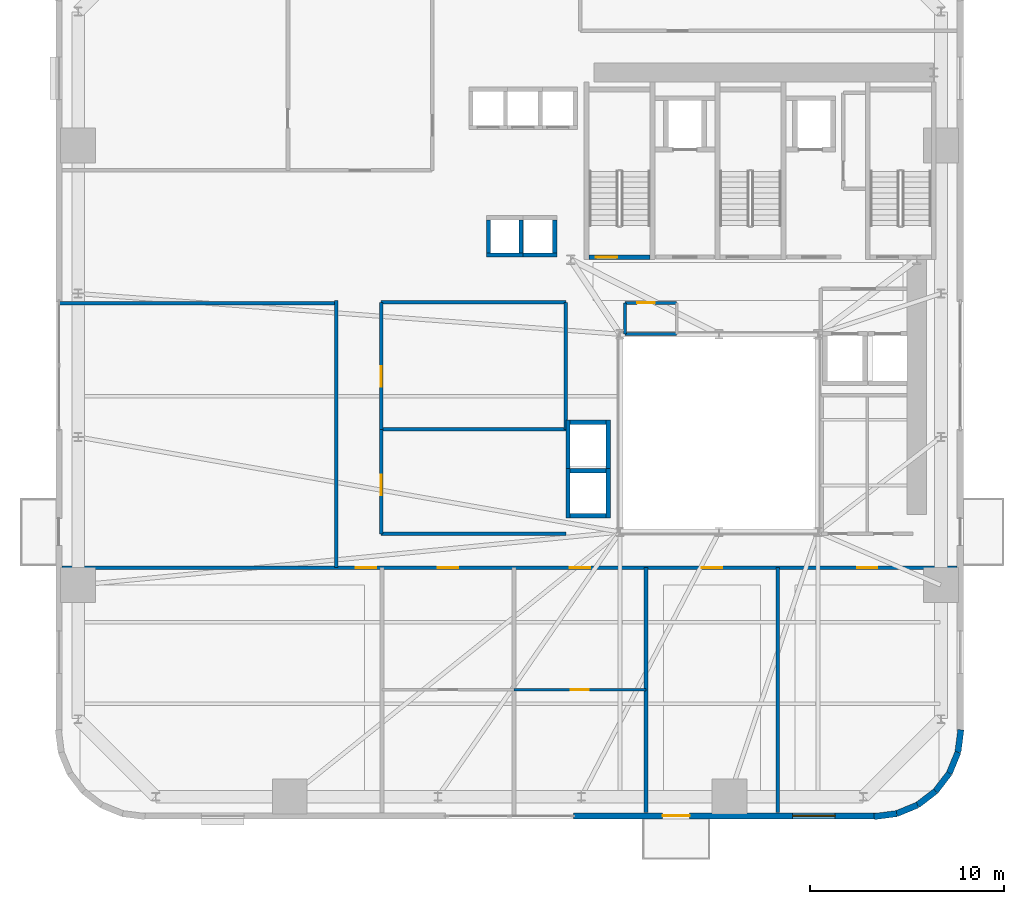
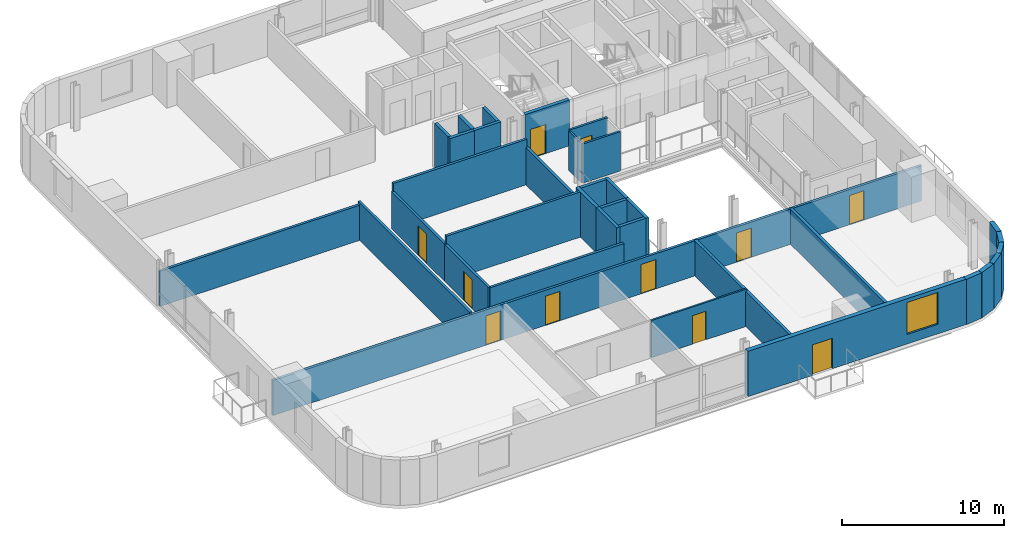
# One storey, part 6 of 13: 35 walls, 11 doors, 1 window, 12 openings.
"""IFC4 building model written with IfcOpenShell, lengths in metres."""

from ifc_helpers import new_model, si_unit, direction, frame, frame_2d, origin, place, context, subcontext, project, spatial, rectangle, extrude, source, transform, mapped, material, layer, layer_set, type_object, element, fill, save


model = new_model("IFC4")

# Units and contexts
model_context = context("Model", 3, precision=1e-05, world=origin(), true_north=direction((0.0, 1.0)))
body_context = subcontext(model_context, "Body", "Model", "MODEL_VIEW")
ifc_project = project(units=[si_unit("LENGTHUNIT", "METRE"), si_unit("AREAUNIT", "SQUARE_METRE"), si_unit("VOLUMEUNIT", "CUBIC_METRE"), si_unit("PLANEANGLEUNIT", "RADIAN"), si_unit("MASSUNIT", "GRAM", prefix="KILO")], contexts=[model_context])

# Site, building, storey
site_placement = place(None, origin())
site = spatial("IfcSite", under=ifc_project, at=site_placement, CompositionType="ELEMENT")
building_placement = place(site_placement, origin())
building = spatial("IfcBuilding", under=site, at=building_placement, Name="Vardaveli Station Tower", CompositionType="ELEMENT")
storey_placement = place(building_placement, frame((0.0, 0.0, 75.050048828125)))
storey = spatial("IfcBuildingStorey", under=building, at=storey_placement, Name="L19", CompositionType="ELEMENT", Elevation=75.050048828125)

# Wall, openings, door, window
ifc_material_1 = material(Name="Precast concrete C45/55", Category="concrete")
ifc_layer_1 = layer(ifc_material_1, 0.320068359375, Name="Precast concrete C45/55")
ifc_layer_set_1 = layer_set([ifc_layer_1], Name="Precast concrete C45/55")
wall_type_1 = type_object("IfcWallType", Name="WAL-EXT-STONE-320", PredefinedType="SOLIDWALL", material=ifc_layer_set_1)
shared_shape_1 = source(origin(), body_context, "Body", "SweptSolid", [
    extrude(rectangle(XDim=15.599853515625, YDim=0.320068359375, at=frame_2d((7.7998046875, 0.0))), origin(), (0.0, 0.0, 1.0), 3.409912109375),
])
wall_1_placement = place(storey_placement, frame((28.800048828125, 1.9599609375, 0.0), z_axis=(0.0, 0.0, 1.0), x_axis=(1.0, 0.0, 0.0)))
wall_1 = element("IfcWall", 1, at=wall_1_placement, inside=storey, type_object=wall_type_1, Name="EW-L19-S2", PredefinedType="SOLIDWALL", context=body_context, shape_type="MappedRepresentation", body=[
    mapped(shared_shape_1, transform((0.0, 0.0, 0.0), scale=1.0)),
])
shared_shape_2 = source(origin(), body_context, "Body", "SweptSolid", [
    extrude(rectangle(XDim=1.39990234375, YDim=2.300048828125, at=frame_2d((0.699951171875, 1.14990234375))), frame((0.0, 0.169921875, 0.0), z_axis=(0.0, -1.0, 0.0), x_axis=(1.0, 0.0, 0.0)), (0.0, 0.0, 1.0), 0.340087890625),
])
opening_1_placement = place(wall_1_placement, frame((4.589599609375, 0.0, 0.0)))
opening_1 = element("IfcOpeningElement", 2, at=opening_1_placement, cuts=wall_1, Name="Opening D-09", PredefinedType="OPENING", context=body_context, shape_type="MappedRepresentation", body=[
    mapped(shared_shape_2, transform((0.0, 0.0, 0.0), scale=1.0)),
])
shared_shape_3 = source(origin(), body_context, "Body", "SweptSolid", [
    extrude(rectangle(XDim=2.199951171875, YDim=2.39990234375, at=frame_2d((1.10009765625, 1.199951171875))), frame((0.0, 0.169921875, 0.0), z_axis=(0.0, -1.0, 0.0), x_axis=(1.0, 0.0, 0.0)), (0.0, 0.0, 1.0), 0.340087890625),
])
opening_2_placement = place(wall_1_placement, frame((11.294921875, 0.0, 0.719970703125)))
opening_2 = element("IfcOpeningElement", 3, at=opening_2_placement, cuts=wall_1, Name="Opening W-03", PredefinedType="OPENING", context=body_context, shape_type="MappedRepresentation", body=[
    mapped(shared_shape_3, transform((0.0, 0.0, 0.0), scale=1.0)),
])
ifc_material_2 = material(Name="Thermally broken aluminium glass", Category="aluminium")
door_type_1 = type_object("IfcDoorType", Name="DR-LOG-1400x2300", OperationType="DOUBLE_DOOR_SLIDING", PredefinedType="DOOR", material=ifc_material_2)
shared_shape_4 = source(origin(), body_context, "Body", "SweptSolid", [
    extrude(rectangle(XDim=1.39990234375, YDim=2.300048828125, at=frame_2d((0.699951171875, 1.14990234375))), frame((0.0, 0.02490234375, 0.0), z_axis=(0.0, -1.0, 0.0), x_axis=(1.0, 0.0, 0.0)), (0.0, 0.0, 1.0), 0.050048828125),
])
door_1_placement = place(opening_1_placement, frame((1.39990234375, 0.0, 0.0), z_axis=(0.0, 0.0, 1.0), x_axis=(-1.0, 0.0, 0.0)))
door_1 = element("IfcDoor", 4, at=door_1_placement, inside=storey, type_object=door_type_1, Name="DLG-L19-S", OperationType="DOUBLE_DOOR_SLIDING", OverallHeight=2.300048828125, OverallWidth=1.39990234375, PredefinedType="DOOR", context=body_context, shape_type="MappedRepresentation", body=[
    mapped(shared_shape_4, transform((0.0, 0.0, 0.0), scale=1.0)),
])
fill(opening_1, door_1)
ifc_material_3 = material(Name="Low-E solar-control glass", Category="glass")
window_type = type_object("IfcWindowType", Name="WIN-LOG-2200x2400", PartitioningType="SINGLE_PANEL", PredefinedType="WINDOW", material=ifc_material_3)
shared_shape_5 = source(origin(), body_context, "Body", "SweptSolid", [
    extrude(rectangle(XDim=2.199951171875, YDim=2.39990234375, at=frame_2d((1.10009765625, 1.199951171875))), frame((0.0, 0.030029296875, 0.0), z_axis=(0.0, -1.0, 0.0), x_axis=(1.0, 0.0, 0.0)), (0.0, 0.0, 1.0), 0.06005859375),
])
window_placement = place(opening_2_placement, origin())
window = element("IfcWindow", 5, at=window_placement, inside=storey, type_object=window_type, Name="WN-L19-S2", OverallHeight=2.39990234375, OverallWidth=2.199951171875, PartitioningType="SINGLE_PANEL", PredefinedType="WINDOW", context=body_context, shape_type="MappedRepresentation", body=[
    mapped(shared_shape_5, transform((0.0, 0.0, 0.0), scale=1.0)),
])
fill(opening_2, window)

# Walls
shared_shape_6 = source(origin(), body_context, "Body", "SweptSolid", [
    extrude(rectangle(XDim=1.170654296875, YDim=0.320068359375, at=frame_2d((0.58544921875, 0.0))), origin(), (0.0, 0.0, 1.0), 3.409912109375),
])
wall_2_placement = place(storey_placement, frame((48.62548828125, 5.23974609375, 0.0), z_axis=(0.0, 0.0, 1.0), x_axis=(0.128269133229, 0.991739395941, 0.0)))
element("IfcWall", 6, at=wall_2_placement, inside=storey, type_object=wall_type_1, Name="EW-L19-CR2-6", PredefinedType="SOLIDWALL", context=body_context, shape_type="MappedRepresentation", body=[
    mapped(shared_shape_6, transform((0.0, 0.0, 0.0), scale=1.0)),
])
shared_shape_7 = source(origin(), body_context, "Body", "SweptSolid", [
    extrude(rectangle(XDim=1.1689453125, YDim=0.320068359375, at=frame_2d((0.58447265625, 0.0))), origin(), (0.0, 0.0, 1.0), 3.409912109375),
])
for number, where, z_axis, x_axis, name in (
    (7, (47.46875, 3.231201171875, 0.0), (0.0, 0.0, 1.0), (0.608387696831, 0.793639975269, 0.0), "EW-L19-CR2-4"),
    (8, (48.179931640625, 4.158935546875, 0.0), (0.0, 0.0, 1.0), (0.381127904695, 0.924522320046, 0.0), "EW-L19-CR2-5"),
):
    element("IfcWall", number, at=place(storey_placement, frame(where, z_axis=z_axis, x_axis=x_axis)), inside=storey, type_object=wall_type_1, Name=name, PredefinedType="SOLIDWALL", context=body_context, shape_type="MappedRepresentation", body=[
        mapped(shared_shape_7, transform((0.0, 0.0, 0.0), scale=1.0)),
    ])
shared_shape_8 = source(origin(), body_context, "Body", "SweptSolid", [
    extrude(rectangle(XDim=1.168701171875, YDim=0.320068359375, at=frame_2d((0.58447265625, 0.0))), origin(), (0.0, 0.0, 1.0), 3.409912109375),
])
wall_3_placement = place(storey_placement, frame((46.541259765625, 2.520263671875, 0.0), z_axis=(0.0, 0.0, 1.0), x_axis=(0.793663520347, 0.608356981114, 0.0)))
element("IfcWall", 9, at=wall_3_placement, inside=storey, type_object=wall_type_1, Name="EW-L19-CR2-3", PredefinedType="SOLIDWALL", context=body_context, shape_type="MappedRepresentation", body=[
    mapped(shared_shape_8, transform((0.0, 0.0, 0.0), scale=1.0)),
])
shared_shape_9 = source(origin(), body_context, "Body", "SweptSolid", [
    extrude(rectangle(XDim=1.16943359375, YDim=0.320068359375, at=frame_2d((0.584716796875, 0.0))), origin(), (0.0, 0.0, 1.0), 3.409912109375),
])
wall_4_placement = place(storey_placement, frame((45.460205078125, 2.074462890625, 0.0), z_axis=(0.0, 0.0, 1.0), x_axis=(0.924479075121, 0.381232789334, 0.0)))
element("IfcWall", 10, at=wall_4_placement, inside=storey, type_object=wall_type_1, Name="EW-L19-CR2-2", PredefinedType="SOLIDWALL", context=body_context, shape_type="MappedRepresentation", body=[
    mapped(shared_shape_9, transform((0.0, 0.0, 0.0), scale=1.0)),
])
shared_shape_10 = source(origin(), body_context, "Body", "SweptSolid", [
    extrude(rectangle(XDim=1.170166015625, YDim=0.320068359375, at=frame_2d((0.5849609375, 0.0))), origin(), (0.0, 0.0, 1.0), 3.409912109375),
])
wall_5_placement = place(storey_placement, frame((44.299560546875, 1.924560546875, 0.0), z_axis=(0.0, 0.0, 1.0), x_axis=(0.991762485493, 0.128090485085, 0.0)))
element("IfcWall", 11, at=wall_5_placement, inside=storey, type_object=wall_type_1, Name="EW-L19-CR2-1", PredefinedType="SOLIDWALL", context=body_context, shape_type="MappedRepresentation", body=[
    mapped(shared_shape_10, transform((0.0, 0.0, 0.0), scale=1.0)),
])

# Wall, opening, door
ifc_material_4 = material(Name="Concrete C40/50", Category="concrete")
ifc_layer_2 = layer(ifc_material_4, 0.25, Name="Concrete C40/50")
ifc_layer_set_2 = layer_set([ifc_layer_2], Name="Concrete C40/50")
wall_type_2 = type_object("IfcWallType", Name="WAL-SHAFT-250", PredefinedType="SOLIDWALL", material=ifc_layer_set_2)
shared_shape_11 = source(origin(), body_context, "Body", "SweptSolid", [
    extrude(rectangle(XDim=3.14990234375, YDim=0.25, at=frame_2d((1.574951171875, 0.0))), origin(), (0.0, 0.0, 1.0), 3.449951171875),
])
wall_6_placement = place(storey_placement, frame((29.60009765625, 30.77490234375, 0.0), z_axis=(0.0, 0.0, 1.0), x_axis=(1.0, 0.0, 0.0)))
wall_6 = element("IfcWall", 12, at=wall_6_placement, inside=storey, type_object=wall_type_2, Name="W-L19-ST-1S", PredefinedType="SOLIDWALL", context=body_context, shape_type="MappedRepresentation", body=[
    mapped(shared_shape_11, transform((0.0, 0.0, 0.0), scale=1.0)),
])
shared_shape_12 = source(origin(), body_context, "Body", "SweptSolid", [
    extrude(rectangle(XDim=1.10009765625, YDim=2.199951171875, at=frame_2d((0.550048828125, 1.10009765625))), frame((0.0, 0.135009765625, 0.0), z_axis=(0.0, -1.0, 0.0), x_axis=(1.0, 0.0, 0.0)), (0.0, 0.0, 1.0), 0.27001953125),
])
opening_3_placement = place(wall_6_placement, frame((0.35009765625, 0.0, 0.0)))
opening_3 = element("IfcOpeningElement", 13, at=opening_3_placement, cuts=wall_6, Name="Opening D-04", PredefinedType="OPENING", context=body_context, shape_type="MappedRepresentation", body=[
    mapped(shared_shape_12, transform((0.0, 0.0, 0.0), scale=1.0)),
])
ifc_material_5 = material(Name="Steel smokeproof fire doorset", Category="steel")
door_type_2 = type_object("IfcDoorType", Name="DR-ST-1100x2200", OperationType="NOTDEFINED", PredefinedType="DOOR", material=ifc_material_5)
shared_shape_13 = source(origin(), body_context, "Body", "SweptSolid", [
    extrude(rectangle(XDim=1.10009765625, YDim=2.199951171875, at=frame_2d((0.550048828125, 1.10009765625))), frame((0.0, 0.02490234375, 0.0), z_axis=(0.0, -1.0, 0.0), x_axis=(1.0, 0.0, 0.0)), (0.0, 0.0, 1.0), 0.050048828125),
])
door_2_placement = place(opening_3_placement, origin())
door_2 = element("IfcDoor", 14, at=door_2_placement, inside=storey, type_object=door_type_2, Name="DST-1-L19", OperationType="SINGLE_SWING_LEFT", OverallHeight=2.199951171875, OverallWidth=1.10009765625, PredefinedType="DOOR", context=body_context, shape_type="MappedRepresentation", body=[
    mapped(shared_shape_13, transform((0.0, 0.0, 0.0), scale=1.0)),
])
fill(opening_3, door_2)

# Walls
ifc_layer_3 = layer(ifc_material_4, 0.219970703125, Name="Concrete C40/50")
ifc_layer_set_3 = layer_set([ifc_layer_3], Name="Concrete C40/50")
wall_type_3 = type_object("IfcWallType", Name="WAL-FFLOBBY-220", PredefinedType="SOLIDWALL", material=ifc_layer_set_3)
shared_shape_14 = source(origin(), body_context, "Body", "SweptSolid", [
    extrude(rectangle(XDim=1.89013671875, YDim=0.219970703125, at=frame_2d((0.945068359375, 0.0))), origin(), (0.0, 0.0, 1.0), 3.409912109375),
])
for number, where, z_axis, x_axis, name in (
    (15, (24.304931640625, 30.889892578125, 0.0), (0.0, 0.0, 1.0), (1.0, 0.0, 0.0), "SHW-SHU-01-L19-S"),
    (16, (26.054931640625, 30.889892578125, 0.0), (0.0, 0.0, 1.0), (1.0, 0.0, 0.0), "SHW-SHU-02-L19-S"),
):
    element("IfcWall", number, at=place(storey_placement, frame(where, z_axis=z_axis, x_axis=x_axis)), inside=storey, type_object=wall_type_3, Name=name, PredefinedType="SOLIDWALL", context=body_context, shape_type="MappedRepresentation", body=[
        mapped(shared_shape_14, transform((0.0, 0.0, 0.0), scale=1.0)),
    ])
shared_shape_15 = source(origin(), body_context, "Body", "SweptSolid", [
    extrude(rectangle(XDim=1.699951171875, YDim=0.219970703125, at=frame_2d((0.85009765625, 0.0))), origin(), (0.0, 0.0, 1.0), 3.409912109375),
])
for number, where, z_axis, x_axis, name in (
    (17, (24.4150390625, 31.0, 0.0), (0.0, 0.0, 1.0), (0.0, 1.0, 0.0), "SHW-SHU-01-L19-W"),
    (18, (26.0849609375, 31.0, 0.0), (0.0, 0.0, 1.0), (0.0, 1.0, 0.0), "SHW-SHU-01-L19-E"),
    (19, (27.8349609375, 31.0, 0.0), (0.0, 0.0, 1.0), (0.0, 1.0, 0.0), "SHW-SHU-02-L19-E"),
):
    element("IfcWall", number, at=place(storey_placement, frame(where, z_axis=z_axis, x_axis=x_axis)), inside=storey, type_object=wall_type_3, Name=name, PredefinedType="SOLIDWALL", context=body_context, shape_type="MappedRepresentation", body=[
        mapped(shared_shape_15, transform((0.0, 0.0, 0.0), scale=1.0)),
    ])
shared_shape_16 = source(origin(), body_context, "Body", "SweptSolid", [
    extrude(rectangle(XDim=1.85009765625, YDim=0.219970703125, at=frame_2d((0.925048828125, 0.0))), origin(), (0.0, 0.0, 1.0), 3.409912109375),
])
for number, where, z_axis, x_axis, name in (
    (20, (28.625, 17.43994140625, 0.0), (0.0, 0.0, 1.0), (1.0, 0.0, 0.0), "SHW-OBS-01-L19-S"),
    (21, (28.625, 19.760009765625, 0.0), (0.0, 0.0, 1.0), (1.0, 0.0, 0.0), "SHW-OBS-01-L19-N"),
    (22, (28.625, 22.260009765625, 0.0), (0.0, 0.0, 1.0), (1.0, 0.0, 0.0), "SHW-OBS-02-L19-N"),
):
    element("IfcWall", number, at=place(storey_placement, frame(where, z_axis=z_axis, x_axis=x_axis)), inside=storey, type_object=wall_type_3, Name=name, PredefinedType="SOLIDWALL", context=body_context, shape_type="MappedRepresentation", body=[
        mapped(shared_shape_16, transform((0.0, 0.0, 0.0), scale=1.0)),
    ])
shared_shape_17 = source(origin(), body_context, "Body", "SweptSolid", [
    extrude(rectangle(XDim=2.5400390625, YDim=0.219970703125, at=frame_2d((1.27001953125, 0.0))), origin(), (0.0, 0.0, 1.0), 3.409912109375),
])
for number, where, z_axis, x_axis, name in (
    (23, (28.514892578125, 17.330078125, 0.0), (0.0, 0.0, 1.0), (0.0, 1.0, 0.0), "SHW-OBS-01-L19-W"),
    (24, (30.5849609375, 17.330078125, 0.0), (0.0, 0.0, 1.0), (0.0, 1.0, 0.0), "SHW-OBS-01-L19-E"),
    (25, (28.514892578125, 19.830078125, 0.0), (0.0, 0.0, 1.0), (0.0, 1.0, 0.0), "SHW-OBS-02-L19-W"),
    (26, (30.5849609375, 19.830078125, 0.0), (0.0, 0.0, 1.0), (0.0, 1.0, 0.0), "SHW-OBS-02-L19-E"),
):
    element("IfcWall", number, at=place(storey_placement, frame(where, z_axis=z_axis, x_axis=x_axis)), inside=storey, type_object=wall_type_3, Name=name, PredefinedType="SOLIDWALL", context=body_context, shape_type="MappedRepresentation", body=[
        mapped(shared_shape_17, transform((0.0, 0.0, 0.0), scale=1.0)),
    ])

# Wall, openings, doors
ifc_material_6 = material(Name="Fire-rated gypsum stud partition")
ifc_layer_4 = layer(ifc_material_6, 0.179931640625, Name="Fire-rated gypsum stud partition")
ifc_layer_set_4 = layer_set([ifc_layer_4], Name="Fire-rated gypsum stud partition")
wall_type_4 = type_object("IfcWallType", Name="WAL-CORR-180", PredefinedType="PARTITIONING", material=ifc_layer_set_4)
shared_shape_18 = source(origin(), body_context, "Body", "SweptSolid", [
    extrude(rectangle(XDim=46.15576171875, YDim=0.179931640625, at=frame_2d((23.077880859375, 0.0))), origin(), (0.0, 0.0, 1.0), 2.65185546875),
])
wall_7_placement = place(storey_placement, frame((2.422119140625, 14.760009765625, 0.0), z_axis=(0.0, 0.0, 1.0), x_axis=(1.0, 0.0, 0.0)))
wall_7 = element("IfcWall", 27, at=wall_7_placement, inside=storey, type_object=wall_type_4, Name="W-L19-CS", PredefinedType="PARTITIONING", context=body_context, shape_type="MappedRepresentation", body=[
    mapped(shared_shape_18, transform((0.0, 0.0, 0.0), scale=1.0)),
])
shared_shape_19 = source(origin(), body_context, "Body", "SweptSolid", [
    extrude(rectangle(XDim=1.050048828125, YDim=2.199951171875, at=frame_2d((0.52490234375, 1.10009765625))), frame((0.0, 0.10009765625, 0.0), z_axis=(0.0, -1.0, 0.0), x_axis=(1.0, 0.0, 0.0)), (0.0, 0.0, 1.0), 0.199951171875),
])
opening_4_placement = place(wall_7_placement, frame((15.14794921875, 0.0, 0.0)))
opening_4 = element("IfcOpeningElement", 28, at=opening_4_placement, cuts=wall_7, Name="Opening D-05", PredefinedType="OPENING", context=body_context, shape_type="MappedRepresentation", body=[
    mapped(shared_shape_19, transform((0.0, 0.0, 0.0), scale=1.0)),
])
opening_5_placement = place(wall_7_placement, frame((19.379638671875, 0.0, 0.0)))
opening_5 = element("IfcOpeningElement", 29, at=opening_5_placement, cuts=wall_7, Name="Opening D-05", PredefinedType="OPENING", context=body_context, shape_type="MappedRepresentation", body=[
    mapped(shared_shape_19, transform((0.0, 0.0, 0.0), scale=1.0)),
])
opening_6_placement = place(wall_7_placement, frame((26.18310546875, 0.0, 0.0)))
opening_6 = element("IfcOpeningElement", 30, at=opening_6_placement, cuts=wall_7, Name="Opening D-05", PredefinedType="OPENING", context=body_context, shape_type="MappedRepresentation", body=[
    mapped(shared_shape_19, transform((0.0, 0.0, 0.0), scale=1.0)),
])
opening_7_placement = place(wall_7_placement, frame((32.986328125, 0.0, 0.0)))
opening_7 = element("IfcOpeningElement", 31, at=opening_7_placement, cuts=wall_7, Name="Opening D-05", PredefinedType="OPENING", context=body_context, shape_type="MappedRepresentation", body=[
    mapped(shared_shape_19, transform((0.0, 0.0, 0.0), scale=1.0)),
])
opening_8_placement = place(wall_7_placement, frame((40.998046875, 0.0, 0.0)))
opening_8 = element("IfcOpeningElement", 32, at=opening_8_placement, cuts=wall_7, Name="Opening D-05", PredefinedType="OPENING", context=body_context, shape_type="MappedRepresentation", body=[
    mapped(shared_shape_19, transform((0.0, 0.0, 0.0), scale=1.0)),
])
ifc_material_7 = material(Name="Walnut veneer acoustic fire door")
door_type_3 = type_object("IfcDoorType", Name="DR-SUITE-1050x2200", OperationType="NOTDEFINED", PredefinedType="DOOR", material=ifc_material_7)
shared_shape_20 = source(origin(), body_context, "Body", "SweptSolid", [
    extrude(rectangle(XDim=1.050048828125, YDim=2.199951171875, at=frame_2d((0.52490234375, 1.10009765625))), frame((0.0, 0.02490234375, 0.0), z_axis=(0.0, -1.0, 0.0), x_axis=(1.0, 0.0, 0.0)), (0.0, 0.0, 1.0), 0.050048828125),
])
door_3_placement = place(opening_4_placement, origin())
door_3 = element("IfcDoor", 33, at=door_3_placement, inside=storey, type_object=door_type_3, Name="D-L19-SA1", OperationType="SINGLE_SWING_LEFT", OverallHeight=2.199951171875, OverallWidth=1.050048828125, PredefinedType="DOOR", context=body_context, shape_type="MappedRepresentation", body=[
    mapped(shared_shape_20, transform((0.0, 0.0, 0.0), scale=1.0)),
])
fill(opening_4, door_3)
door_4_placement = place(opening_5_placement, origin())
door_4 = element("IfcDoor", 34, at=door_4_placement, inside=storey, type_object=door_type_3, Name="D-L19-SCB2", OperationType="SINGLE_SWING_RIGHT", OverallHeight=2.199951171875, OverallWidth=1.050048828125, PredefinedType="DOOR", context=body_context, shape_type="MappedRepresentation", body=[
    mapped(shared_shape_20, transform((0.0, 0.0, 0.0), scale=1.0)),
])
fill(opening_5, door_4)
door_5_placement = place(opening_6_placement, origin())
door_5 = element("IfcDoor", 35, at=door_5_placement, inside=storey, type_object=door_type_3, Name="D-L19-SCB3", OperationType="SINGLE_SWING_LEFT", OverallHeight=2.199951171875, OverallWidth=1.050048828125, PredefinedType="DOOR", context=body_context, shape_type="MappedRepresentation", body=[
    mapped(shared_shape_20, transform((0.0, 0.0, 0.0), scale=1.0)),
])
fill(opening_6, door_5)
door_6_placement = place(opening_7_placement, origin())
door_6 = element("IfcDoor", 36, at=door_6_placement, inside=storey, type_object=door_type_3, Name="D-L19-SA4", OperationType="SINGLE_SWING_RIGHT", OverallHeight=2.199951171875, OverallWidth=1.050048828125, PredefinedType="DOOR", context=body_context, shape_type="MappedRepresentation", body=[
    mapped(shared_shape_20, transform((0.0, 0.0, 0.0), scale=1.0)),
])
fill(opening_7, door_6)
door_7_placement = place(opening_8_placement, origin())
door_7 = element("IfcDoor", 37, at=door_7_placement, inside=storey, type_object=door_type_3, Name="D-L19-SA5", OperationType="SINGLE_SWING_LEFT", OverallHeight=2.199951171875, OverallWidth=1.050048828125, PredefinedType="DOOR", context=body_context, shape_type="MappedRepresentation", body=[
    mapped(shared_shape_20, transform((0.0, 0.0, 0.0), scale=1.0)),
])
fill(opening_8, door_7)

# Wall, opening, door
shared_shape_21 = source(origin(), body_context, "Body", "SweptSolid", [
    extrude(rectangle(XDim=6.5400390625, YDim=0.179931640625, at=frame_2d((3.27001953125, 0.0))), origin(), (0.0, 0.0, 1.0), 2.802001953125),
])
wall_8_placement = place(storey_placement, frame((18.8701171875, 21.89990234375, 0.0), z_axis=(0.0, 0.0, 1.0), x_axis=(0.0, 1.0, 0.0)))
wall_8 = element("IfcWall", 38, at=wall_8_placement, inside=storey, type_object=wall_type_4, Name="W-L19-ATW2-W", PredefinedType="PARTITIONING", context=body_context, shape_type="MappedRepresentation", body=[
    mapped(shared_shape_21, transform((0.0, 0.0, 0.0), scale=1.0)),
])
opening_9_placement = place(wall_8_placement, frame((2.199951171875, 0.0, 0.0)))
opening_9 = element("IfcOpeningElement", 39, at=opening_9_placement, cuts=wall_8, Name="Opening D-05", PredefinedType="OPENING", context=body_context, shape_type="MappedRepresentation", body=[
    mapped(shared_shape_19, transform((0.0, 0.0, 0.0), scale=1.0)),
])
door_8_placement = place(opening_9_placement, origin())
door_8 = element("IfcDoor", 40, at=door_8_placement, inside=storey, type_object=door_type_3, Name="D-L19-ATW2", OperationType="SINGLE_SWING_RIGHT", OverallHeight=2.199951171875, OverallWidth=1.050048828125, PredefinedType="DOOR", context=body_context, shape_type="MappedRepresentation", body=[
    mapped(shared_shape_20, transform((0.0, 0.0, 0.0), scale=1.0)),
])
fill(opening_9, door_8)

# Wall
wall_9_placement = place(storey_placement, frame((28.39990234375, 21.89990234375, 0.0), z_axis=(0.0, 0.0, 1.0), x_axis=(0.0, 1.0, 0.0)))
element("IfcWall", 41, at=wall_9_placement, inside=storey, type_object=wall_type_4, Name="W-L19-ATW2-E", PredefinedType="PARTITIONING", context=body_context, shape_type="MappedRepresentation", body=[
    mapped(shared_shape_21, transform((0.0, 0.0, 0.0), scale=1.0)),
])

# Wall, opening, door
shared_shape_22 = source(origin(), body_context, "Body", "SweptSolid", [
    extrude(rectangle(XDim=5.39990234375, YDim=0.179931640625, at=frame_2d((2.699951171875, 0.0))), origin(), (0.0, 0.0, 1.0), 2.802001953125),
])
wall_10_placement = place(storey_placement, frame((18.8701171875, 16.5, 0.0), z_axis=(0.0, 0.0, 1.0), x_axis=(0.0, 1.0, 0.0)))
wall_10 = element("IfcWall", 42, at=wall_10_placement, inside=storey, type_object=wall_type_4, Name="W-L19-ATW1-W", PredefinedType="PARTITIONING", context=body_context, shape_type="MappedRepresentation", body=[
    mapped(shared_shape_22, transform((0.0, 0.0, 0.0), scale=1.0)),
])
opening_10_placement = place(wall_10_placement, frame((2.0, 0.0, 0.0)))
opening_10 = element("IfcOpeningElement", 43, at=opening_10_placement, cuts=wall_10, Name="Opening D-05", PredefinedType="OPENING", context=body_context, shape_type="MappedRepresentation", body=[
    mapped(shared_shape_19, transform((0.0, 0.0, 0.0), scale=1.0)),
])
door_9_placement = place(opening_10_placement, origin())
door_9 = element("IfcDoor", 44, at=door_9_placement, inside=storey, type_object=door_type_3, Name="D-L19-ATW1", OperationType="SINGLE_SWING_LEFT", OverallHeight=2.199951171875, OverallWidth=1.050048828125, PredefinedType="DOOR", context=body_context, shape_type="MappedRepresentation", body=[
    mapped(shared_shape_20, transform((0.0, 0.0, 0.0), scale=1.0)),
])
fill(opening_10, door_9)

ifc_material_8 = material(Name="Moisture-resistant stud partition")
ifc_layer_5 = layer(ifc_material_8, 0.14990234375, Name="Moisture-resistant stud partition")
ifc_layer_set_5 = layer_set([ifc_layer_5], Name="Moisture-resistant stud partition")
wall_type_5 = type_object("IfcWallType", Name="WAL-WET-150", PredefinedType="PARTITIONING", material=ifc_layer_set_5)
shared_shape_23 = source(origin(), body_context, "Body", "SweptSolid", [
    extrude(rectangle(XDim=2.670166015625, YDim=0.14990234375, at=frame_2d((1.3349609375, 0.0))), origin(), (0.0, 0.0, 1.0), 3.0419921875),
])
wall_11_placement = place(storey_placement, frame((31.449951171875, 28.419921875, 0.0), z_axis=(0.0, 0.0, 1.0), x_axis=(1.0, 0.0, 0.0)))
wall_11 = element("IfcWall", 45, at=wall_11_placement, inside=storey, type_object=wall_type_5, Name="W-L19-WCA1-N", PredefinedType="PARTITIONING", context=body_context, shape_type="MappedRepresentation", body=[
    mapped(shared_shape_23, transform((0.0, 0.0, 0.0), scale=1.0)),
])
shared_shape_24 = source(origin(), body_context, "Body", "SweptSolid", [
    extrude(rectangle(XDim=0.919921875, YDim=2.10009765625, at=frame_2d((0.4599609375, 1.050048828125))), frame((0.0, 0.0849609375, 0.0), z_axis=(0.0, -1.0, 0.0), x_axis=(1.0, 0.0, 0.0)), (0.0, 0.0, 1.0), 0.169921875),
])
opening_11_placement = place(wall_11_placement, frame((0.6298828125, 0.0, 0.0)))
opening_11 = element("IfcOpeningElement", 46, at=opening_11_placement, cuts=wall_11, Name="Opening D-07", PredefinedType="OPENING", context=body_context, shape_type="MappedRepresentation", body=[
    mapped(shared_shape_24, transform((0.0, 0.0, 0.0), scale=1.0)),
])
ifc_material_9 = material(Name="Moisture-resistant hardwood door", Category="wood")
door_type_4 = type_object("IfcDoorType", Name="DR-WC-920x2100", OperationType="NOTDEFINED", PredefinedType="DOOR", material=ifc_material_9)
shared_shape_25 = source(origin(), body_context, "Body", "SweptSolid", [
    extrude(rectangle(XDim=0.919921875, YDim=2.10009765625, at=frame_2d((0.4599609375, 1.050048828125))), frame((0.0, 0.02490234375, 0.0), z_axis=(0.0, -1.0, 0.0), x_axis=(1.0, 0.0, 0.0)), (0.0, 0.0, 1.0), 0.050048828125),
])
door_10_placement = place(opening_11_placement, origin())
door_10 = element("IfcDoor", 47, at=door_10_placement, inside=storey, type_object=door_type_4, Name="D-L19-WCA", OperationType="SINGLE_SWING_RIGHT", OverallHeight=2.10009765625, OverallWidth=0.919921875, PredefinedType="DOOR", context=body_context, shape_type="MappedRepresentation", body=[
    mapped(shared_shape_25, transform((0.0, 0.0, 0.0), scale=1.0)),
])
fill(opening_11, door_10)

# Walls
shared_shape_26 = source(origin(), body_context, "Body", "SweptSolid", [
    extrude(rectangle(XDim=2.670166015625, YDim=0.14990234375, at=frame_2d((1.3349609375, 0.0))), origin(), (0.0, 0.0, 1.0), 2.951904296875),
])
wall_12_placement = place(storey_placement, frame((31.449951171875, 26.820068359375, 0.0), z_axis=(0.0, 0.0, 1.0), x_axis=(1.0, 0.0, 0.0)))
element("IfcWall", 48, at=wall_12_placement, inside=storey, type_object=wall_type_5, Name="W-L19-WCA1-S", PredefinedType="PARTITIONING", context=body_context, shape_type="MappedRepresentation", body=[
    mapped(shared_shape_26, transform((0.0, 0.0, 0.0), scale=1.0)),
])
shared_shape_27 = source(origin(), body_context, "Body", "SweptSolid", [
    extrude(rectangle(XDim=1.599853515625, YDim=0.14990234375, at=frame_2d((0.7998046875, 0.0))), origin(), (0.0, 0.0, 1.0), 2.951904296875),
])
wall_13_placement = place(storey_placement, frame((31.449951171875, 26.820068359375, 0.0), z_axis=(0.0, 0.0, 1.0), x_axis=(0.0, 1.0, 0.0)))
element("IfcWall", 49, at=wall_13_placement, inside=storey, type_object=wall_type_5, Name="W-L19-WCA1-W", PredefinedType="PARTITIONING", context=body_context, shape_type="MappedRepresentation", body=[
    mapped(shared_shape_27, transform((0.0, 0.0, 0.0), scale=1.0)),
])
shared_shape_28 = source(origin(), body_context, "Body", "SweptSolid", [
    extrude(rectangle(XDim=13.7900390625, YDim=0.179931640625, at=frame_2d((6.89501953125, 0.0))), origin(), (0.0, 0.0, 1.0), 2.802001953125),
])
wall_14_placement = place(storey_placement, frame((16.550048828125, 14.760009765625, 0.0), z_axis=(0.0, 0.0, 1.0), x_axis=(0.0, 1.0, 0.0)))
element("IfcWall", 50, at=wall_14_placement, inside=storey, type_object=wall_type_4, Name="W-L19-CW", PredefinedType="PARTITIONING", context=body_context, shape_type="MappedRepresentation", body=[
    mapped(shared_shape_28, transform((0.0, 0.0, 0.0), scale=1.0)),
])
ifc_material_10 = material(Name="Acoustic twin-stud gypsum partition")
ifc_layer_6 = layer(ifc_material_10, 0.199951171875, Name="Acoustic twin-stud gypsum partition")
ifc_layer_set_6 = layer_set([ifc_layer_6], Name="Acoustic twin-stud gypsum partition")
wall_type_6 = type_object("IfcWallType", Name="WAL-PARTY-200", PredefinedType="PARTITIONING", material=ifc_layer_set_6)
shared_shape_29 = source(origin(), body_context, "Body", "SweptSolid", [
    extrude(rectangle(XDim=12.637939453125, YDim=0.199951171875, at=frame_2d((6.31884765625, 0.0))), origin(), (0.0, 0.0, 1.0), 2.65185546875),
])
for number, where, z_axis, x_axis, name in (
    (51, (32.527099609375, 2.1220703125, 0.0), (0.0, 0.0, 1.0), (0.0, 1.0, 0.0), "W-L19-PS3"),
    (52, (39.330078125, 2.1220703125, 0.0), (0.0, 0.0, 1.0), (0.0, 1.0, 0.0), "W-L19-PS4"),
):
    element("IfcWall", number, at=place(storey_placement, frame(where, z_axis=z_axis, x_axis=x_axis)), inside=storey, type_object=wall_type_6, Name=name, PredefinedType="PARTITIONING", context=body_context, shape_type="MappedRepresentation", body=[
        mapped(shared_shape_29, transform((0.0, 0.0, 0.0), scale=1.0)),
    ])

# Wall, opening, door
ifc_material_11 = material(Name="Gypsum board stud partition")
ifc_layer_7 = layer(ifc_material_11, 0.125, Name="Gypsum board stud partition")
ifc_layer_set_7 = layer_set([ifc_layer_7], Name="Gypsum board stud partition")
wall_type_7 = type_object("IfcWallType", Name="WAL-INT-125", PredefinedType="PARTITIONING", material=ifc_layer_set_7)
shared_shape_30 = source(origin(), body_context, "Body", "SweptSolid", [
    extrude(rectangle(XDim=6.80419921875, YDim=0.125, at=frame_2d((3.402099609375, 0.0))), origin(), (0.0, 0.0, 1.0), 2.802001953125),
])
wall_15_placement = place(storey_placement, frame((25.722900390625, 8.455078125, 0.0), z_axis=(0.0, 0.0, 1.0), x_axis=(1.0, 0.0, 0.0)))
wall_15 = element("IfcWall", 53, at=wall_15_placement, inside=storey, type_object=wall_type_7, Name="W-L19-SCM3", PredefinedType="PARTITIONING", context=body_context, shape_type="MappedRepresentation", body=[
    mapped(shared_shape_30, transform((0.0, 0.0, 0.0), scale=1.0)),
])
shared_shape_31 = source(origin(), body_context, "Body", "SweptSolid", [
    extrude(rectangle(XDim=0.949951171875, YDim=2.14990234375, at=frame_2d((0.47509765625, 1.074951171875))), frame((0.0, 0.072509765625, 0.0), z_axis=(0.0, -1.0, 0.0), x_axis=(1.0, 0.0, 0.0)), (0.0, 0.0, 1.0), 0.14501953125),
])
opening_12_placement = place(wall_15_placement, frame((2.921630859375, 0.0, 0.0)))
opening_12 = element("IfcOpeningElement", 54, at=opening_12_placement, cuts=wall_15, Name="Opening D-11", PredefinedType="OPENING", context=body_context, shape_type="MappedRepresentation", body=[
    mapped(shared_shape_31, transform((0.0, 0.0, 0.0), scale=1.0)),
])
ifc_material_12 = material(Name="Oak veneer internal suite door")
door_type_5 = type_object("IfcDoorType", Name="DR-INT-950x2150", OperationType="NOTDEFINED", PredefinedType="DOOR", material=ifc_material_12)
shared_shape_32 = source(origin(), body_context, "Body", "SweptSolid", [
    extrude(rectangle(XDim=0.949951171875, YDim=2.14990234375, at=frame_2d((0.47509765625, 1.074951171875))), frame((0.0, 0.02490234375, 0.0), z_axis=(0.0, -1.0, 0.0), x_axis=(1.0, 0.0, 0.0)), (0.0, 0.0, 1.0), 0.050048828125),
])
door_11_placement = place(opening_12_placement, origin())
door_11 = element("IfcDoor", 55, at=door_11_placement, inside=storey, type_object=door_type_5, Name="D-L19-SCF3", OperationType="SINGLE_SWING_RIGHT", OverallHeight=2.14990234375, OverallWidth=0.949951171875, PredefinedType="DOOR", context=body_context, shape_type="MappedRepresentation", body=[
    mapped(shared_shape_32, transform((0.0, 0.0, 0.0), scale=1.0)),
])
fill(opening_12, door_11)

# Walls
shared_shape_33 = source(origin(), body_context, "Body", "SweptSolid", [
    extrude(rectangle(XDim=14.320068359375, YDim=0.179931640625, at=frame_2d((7.16015625, 0.0))), origin(), (0.0, 0.0, 1.0), 2.65185546875),
])
wall_16_placement = place(storey_placement, frame((2.22998046875, 28.39990234375, 0.0), z_axis=(0.0, 0.0, 1.0), x_axis=(1.0, 0.0, 0.0)))
element("IfcWall", 56, at=wall_16_placement, inside=storey, type_object=wall_type_4, Name="W-L19-CWN", PredefinedType="PARTITIONING", context=body_context, shape_type="MappedRepresentation", body=[
    mapped(shared_shape_33, transform((0.0, 0.0, 0.0), scale=1.0)),
])
shared_shape_34 = source(origin(), body_context, "Body", "SweptSolid", [
    extrude(rectangle(XDim=9.52978515625, YDim=0.179931640625, at=frame_2d((4.764892578125, 0.0))), origin(), (0.0, 0.0, 1.0), 2.802001953125),
])
wall_17_placement = place(storey_placement, frame((18.8701171875, 16.5, 0.0), z_axis=(0.0, 0.0, 1.0), x_axis=(1.0, 0.0, 0.0)))
element("IfcWall", 57, at=wall_17_placement, inside=storey, type_object=wall_type_4, Name="W-L19-ATW1-S", PredefinedType="PARTITIONING", context=body_context, shape_type="MappedRepresentation", body=[
    mapped(shared_shape_34, transform((0.0, 0.0, 0.0), scale=1.0)),
])
shared_shape_35 = source(origin(), body_context, "Body", "SweptSolid", [
    extrude(rectangle(XDim=9.52978515625, YDim=0.179931640625, at=frame_2d((4.764892578125, 0.0))), origin(), (0.0, 0.0, 1.0), 3.409912109375),
])
for number, where, z_axis, x_axis, name in (
    (58, (18.8701171875, 21.89990234375, 0.0), (0.0, 0.0, 1.0), (1.0, 0.0, 0.0), "W-L19-ATW1-N"),
    (59, (18.8701171875, 28.43994140625, 0.0), (0.0, 0.0, 1.0), (1.0, 0.0, 0.0), "W-L19-ATW2-N"),
):
    element("IfcWall", number, at=place(storey_placement, frame(where, z_axis=z_axis, x_axis=x_axis)), inside=storey, type_object=wall_type_4, Name=name, PredefinedType="PARTITIONING", context=body_context, shape_type="MappedRepresentation", body=[
        mapped(shared_shape_35, transform((0.0, 0.0, 0.0), scale=1.0)),
    ])

save(model, "model.ifc")
